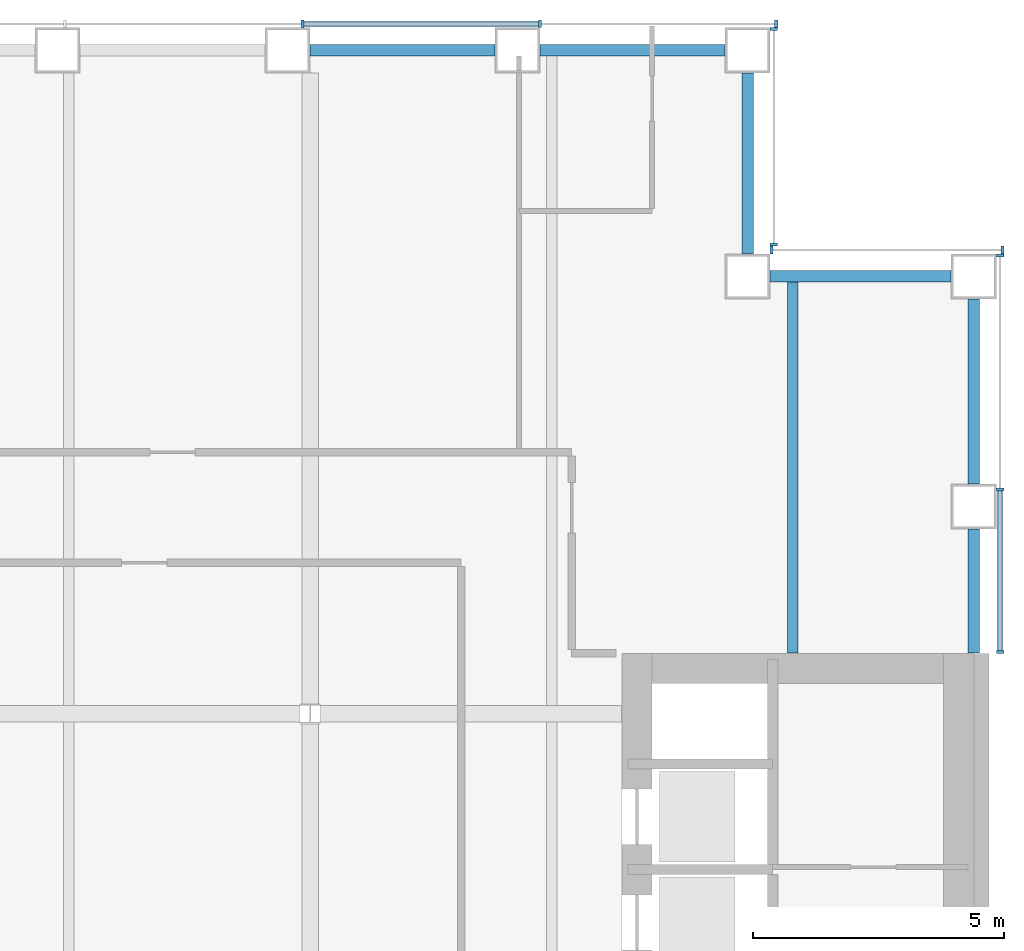
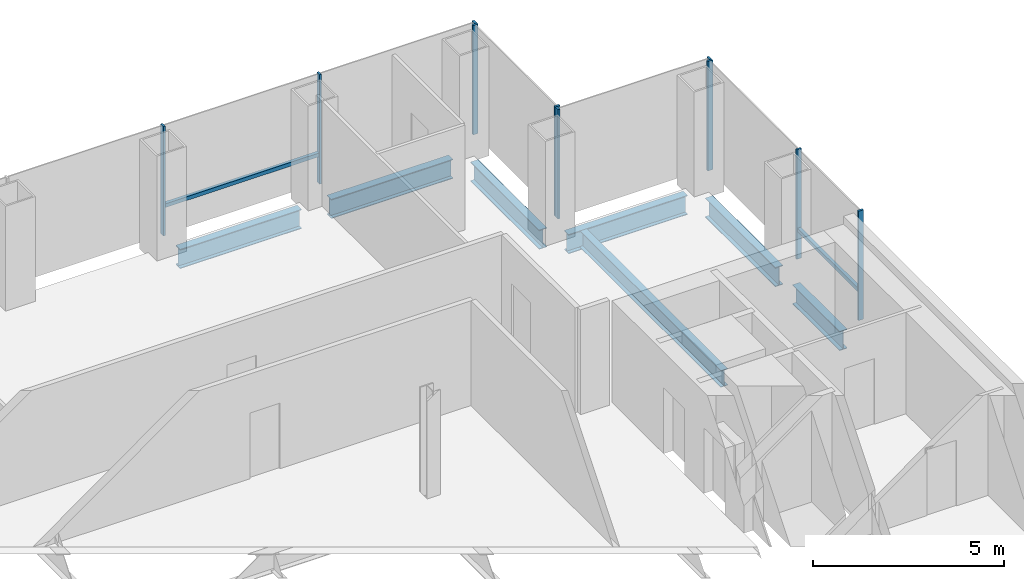
# One storey, part 8 of 15: 12 members, 7 beams, 4 elements without a shape of their own.
"""IFC4 building model written with IfcOpenShell, lengths in metres."""

from ifc_helpers import new_model, si_unit, direction, frame, origin, origin_2d, place, context, subcontext, project, spatial, rectangle, i_section, extrude, material, material_profile, profile_set, type_object, element, aggregate, save


model = new_model("IFC4")

# Units and contexts
model_context = context("Model", 3, precision=1e-05, world=origin(), true_north=direction((0.0, 1.0)))
body_context = subcontext(model_context, "Body", "Model", "MODEL_VIEW")
ifc_project = project(units=[si_unit("LENGTHUNIT", "METRE"), si_unit("AREAUNIT", "SQUARE_METRE"), si_unit("VOLUMEUNIT", "CUBIC_METRE"), si_unit("PLANEANGLEUNIT", "RADIAN"), si_unit("MASSUNIT", "GRAM", prefix="KILO")], contexts=[model_context])

# Site, building, storey
site_placement = place(None, origin())
site = spatial("IfcSite", under=ifc_project, at=site_placement, CompositionType="ELEMENT")
building_placement = place(site_placement, origin())
building = spatial("IfcBuilding", under=site, at=building_placement, Name="Cobrizo Arcos Hotel Tower", CompositionType="ELEMENT")
storey_placement = place(building_placement, frame((0.0, 0.0, 99.5)))
storey = spatial("IfcBuildingStorey", under=building, at=storey_placement, Name="L24", CompositionType="ELEMENT", Elevation=99.5)

# Curtain wall, members
ifc_material_1 = material(Name="Aluminium 6063-T6 anodised bronze", Category="aluminium")
curtain_wall_type = type_object("IfcCurtainWallType", Name="CW-A guest facade", PredefinedType="NOTDEFINED", material=ifc_material_1)
curtain_wall_1_placement = place(storey_placement, origin())
curtain_wall_1 = element("IfcCurtainWall", 1, at=curtain_wall_1_placement, inside=storey, type_object=curtain_wall_type, Name="CW-A L24 E face", PredefinedType="NOTDEFINED")
ifc_material_profile_1 = material_profile(ifc_material_1, rectangle(XDim=0.14990234375, YDim=0.06005859375, at=origin_2d()), Name="CW-A mullion 150x60")
ifc_profile_set_1 = profile_set([ifc_material_profile_1], Name="Aluminium 6063-T6 anodised bronze")
member_type_1 = type_object("IfcMemberType", Name="CW-A mullion 150x60", PredefinedType="MULLION", material=ifc_profile_set_1)
member_1_placement = place(storey_placement, frame((23.324951171875, 10.830078125, 0.0), z_axis=(0.0, 0.0, 1.0), x_axis=(1.0, 0.0, 0.0)))
member_1 = element("IfcMember", 2, at=member_1_placement, type_object=member_type_1, Name="CW-A mullion 1", PredefinedType="MULLION", context=body_context, shape_type="SweptSolid", body=[
    extrude(rectangle(XDim=0.14990234375, YDim=0.06005859375, at=origin_2d()), origin(), (0.0, 0.0, 1.0), 3.5),
])
member_2_placement = place(storey_placement, frame((23.324951171875, 14.0625, 0.0), z_axis=(0.0, 0.0, 1.0), x_axis=(1.0, 0.0, 0.0)))
member_2 = element("IfcMember", 3, at=member_2_placement, type_object=member_type_1, Name="CW-A mullion 2", PredefinedType="MULLION", context=body_context, shape_type="SweptSolid", body=[
    extrude(rectangle(XDim=0.14990234375, YDim=0.06005859375, at=origin_2d()), origin(), (0.0, 0.0, 1.0), 3.5),
])
member_3_placement = place(storey_placement, frame((23.324951171875, 18.719970703125, 0.0), z_axis=(0.0, 0.0, 1.0), x_axis=(1.0, 0.0, 0.0)))
member_3 = element("IfcMember", 4, at=member_3_placement, type_object=member_type_1, Name="CW-A mullion 3", PredefinedType="MULLION", context=body_context, shape_type="SweptSolid", body=[
    extrude(rectangle(XDim=0.14990234375, YDim=0.06005859375, at=origin_2d()), origin(), (0.0, 0.0, 1.0), 3.5),
])

curtain_wall_2_placement = place(storey_placement, origin())
curtain_wall_2 = element("IfcCurtainWall", 5, at=curtain_wall_2_placement, inside=storey, type_object=curtain_wall_type, Name="CW-A L24 N face", PredefinedType="NOTDEFINED")
member_4_placement = place(storey_placement, frame((23.3701171875, 18.824951171875, 0.0), z_axis=(0.0, 0.0, 1.0), x_axis=(0.0, 1.0, 0.0)))
member_4 = element("IfcMember", 6, at=member_4_placement, type_object=member_type_1, Name="CW-A mullion 1", PredefinedType="MULLION", context=body_context, shape_type="SweptSolid", body=[
    extrude(rectangle(XDim=0.14990234375, YDim=0.06005859375, at=origin_2d()), origin(), (0.0, 0.0, 1.0), 3.5),
])
member_5_placement = place(storey_placement, frame((18.780029296875, 18.824951171875, 0.0), z_axis=(0.0, 0.0, 1.0), x_axis=(0.0, 1.0, 0.0)))
member_5 = element("IfcMember", 7, at=member_5_placement, type_object=member_type_1, Name="CW-A mullion 2", PredefinedType="MULLION", context=body_context, shape_type="SweptSolid", body=[
    extrude(rectangle(XDim=0.14990234375, YDim=0.06005859375, at=origin_2d()), origin(), (0.0, 0.0, 1.0), 3.5),
])
aggregate(curtain_wall_2, [member_4, member_5])

curtain_wall_3_placement = place(storey_placement, origin())
curtain_wall_3 = element("IfcCurtainWall", 8, at=curtain_wall_3_placement, inside=storey, type_object=curtain_wall_type, Name="CW-A L24 E face", PredefinedType="NOTDEFINED")
member_6_placement = place(storey_placement, frame((18.824951171875, 18.929931640625, 0.0), z_axis=(0.0, 0.0, 1.0), x_axis=(1.0, 0.0, 0.0)))
member_6 = element("IfcMember", 9, at=member_6_placement, type_object=member_type_1, Name="CW-A mullion 1", PredefinedType="MULLION", context=body_context, shape_type="SweptSolid", body=[
    extrude(rectangle(XDim=0.14990234375, YDim=0.06005859375, at=origin_2d()), origin(), (0.0, 0.0, 1.0), 3.5),
])
member_7_placement = place(storey_placement, frame((18.824951171875, 23.219970703125, 0.0), z_axis=(0.0, 0.0, 1.0), x_axis=(1.0, 0.0, 0.0)))
member_7 = element("IfcMember", 10, at=member_7_placement, type_object=member_type_1, Name="CW-A mullion 2", PredefinedType="MULLION", context=body_context, shape_type="SweptSolid", body=[
    extrude(rectangle(XDim=0.14990234375, YDim=0.06005859375, at=origin_2d()), origin(), (0.0, 0.0, 1.0), 3.5),
])
aggregate(curtain_wall_3, [member_6, member_7])

curtain_wall_4_placement = place(storey_placement, origin())
curtain_wall_4 = element("IfcCurtainWall", 11, at=curtain_wall_4_placement, inside=storey, type_object=curtain_wall_type, Name="CW-A L24 N face", PredefinedType="NOTDEFINED")
member_8_placement = place(storey_placement, frame((18.8701171875, 23.324951171875, 0.0), z_axis=(0.0, 0.0, 1.0), x_axis=(0.0, 1.0, 0.0)))
member_8 = element("IfcMember", 12, at=member_8_placement, type_object=member_type_1, Name="CW-A mullion 1", PredefinedType="MULLION", context=body_context, shape_type="SweptSolid", body=[
    extrude(rectangle(XDim=0.14990234375, YDim=0.06005859375, at=origin_2d()), origin(), (0.0, 0.0, 1.0), 3.5),
])
member_9_placement = place(storey_placement, frame((14.175048828125, 23.324951171875, 0.0), z_axis=(0.0, 0.0, 1.0), x_axis=(0.0, 1.0, 0.0)))
member_9 = element("IfcMember", 13, at=member_9_placement, type_object=member_type_1, Name="CW-A mullion 2", PredefinedType="MULLION", context=body_context, shape_type="SweptSolid", body=[
    extrude(rectangle(XDim=0.14990234375, YDim=0.06005859375, at=origin_2d()), origin(), (0.0, 0.0, 1.0), 3.5),
])
member_10_placement = place(storey_placement, frame((9.449951171875, 23.324951171875, 0.0), z_axis=(0.0, 0.0, 1.0), x_axis=(0.0, 1.0, 0.0)))
member_10 = element("IfcMember", 14, at=member_10_placement, type_object=member_type_1, Name="CW-A mullion 3", PredefinedType="MULLION", context=body_context, shape_type="SweptSolid", body=[
    extrude(rectangle(XDim=0.14990234375, YDim=0.06005859375, at=origin_2d()), origin(), (0.0, 0.0, 1.0), 3.5),
])

# Member
ifc_material_profile_2 = material_profile(ifc_material_1, rectangle(XDim=0.10009765625, YDim=0.1201171875, at=origin_2d()), Name="CW-A transom 120x100")
ifc_profile_set_2 = profile_set([ifc_material_profile_2], Name="Aluminium 6063-T6 anodised bronze")
member_type_2 = type_object("IfcMemberType", Name="CW-A transom 120x100", PredefinedType="USERDEFINED", material=ifc_profile_set_2)
member_11_placement = place(storey_placement, frame((23.324951171875, 10.860107421875, 0.929931640625), z_axis=(0.0, 1.0, 0.0), x_axis=(-1.0, 0.0, 0.0)))
member_11 = element("IfcMember", 15, at=member_11_placement, type_object=member_type_2, Name="CW-A transom 959", ObjectType="TRANSOM", PredefinedType="USERDEFINED", context=body_context, shape_type="SweptSolid", body=[
    extrude(rectangle(XDim=0.10009765625, YDim=0.1201171875, at=origin_2d()), origin(), (0.0, 0.0, 1.0), 3.17236328125),
])

aggregate(curtain_wall_1, [member_1, member_2, member_3, member_11])

member_12_placement = place(storey_placement, frame((14.14501953125, 23.324951171875, 0.929931640625), z_axis=(-1.0, 0.0, 0.0), x_axis=(0.0, -1.0, 0.0)))
member_12 = element("IfcMember", 16, at=member_12_placement, type_object=member_type_2, Name="CW-A transom 964", ObjectType="TRANSOM", PredefinedType="USERDEFINED", context=body_context, shape_type="SweptSolid", body=[
    extrude(rectangle(XDim=0.10009765625, YDim=0.1201171875, at=origin_2d()), origin(), (0.0, 0.0, 1.0), 4.6650390625),
])

aggregate(curtain_wall_4, [member_8, member_9, member_10, member_12])

# Beams
ifc_material_2 = material(Name="Steel ASTM A992 Grade 50", Category="steel")
ifc_material_profile_3 = material_profile(ifc_material_2, i_section(OverallWidth=0.209228515625, OverallDepth=0.533447265625, WebThickness=0.01025390625, FlangeThickness=0.015625, at=origin_2d()), Name="W21X62")
ifc_profile_set_3 = profile_set([ifc_material_profile_3], Name="Steel ASTM A992 Grade 50")
beam_type_1 = type_object("IfcBeamType", Name="W21X62 joist", PredefinedType="JOIST", material=ifc_profile_set_3)
beam_1_placement = place(storey_placement, frame((19.199951171875, 10.81005859375, -0.416748046875), z_axis=(0.0, 1.0, 0.0), x_axis=(-1.0, 0.0, 0.0)))
element("IfcBeam", 17, at=beam_1_placement, inside=storey, type_object=beam_type_1, Name="Floor joist J1, L24, no. 020", PredefinedType="JOIST", context=body_context, shape_type="SweptSolid", body=[
    extrude(i_section(OverallWidth=0.209228515625, OverallDepth=0.533447265625, WebThickness=0.01025390625, FlangeThickness=0.015625, at=origin_2d()), origin(), (0.0, 0.0, 1.0), 7.39990234375),
])
ifc_material_profile_4 = material_profile(ifc_material_2, i_section(OverallWidth=0.23046875, OverallDepth=0.6171875, WebThickness=0.01318359375, FlangeThickness=0.022216796875, at=origin_2d()), Name="W24X94")
ifc_profile_set_4 = profile_set([ifc_material_profile_4], Name="Steel ASTM A992 Grade 50")
beam_type_2 = type_object("IfcBeamType", Name="W24X94 spandrel", PredefinedType="SPANDREL", material=ifc_profile_set_4)
beam_2_placement = place(storey_placement, frame((22.800048828125, 10.81005859375, -0.45849609375), z_axis=(0.0, 1.0, 0.0), x_axis=(-1.0, 0.0, 0.0)))
element("IfcBeam", 18, at=beam_2_placement, inside=storey, type_object=beam_type_2, Name="Spandrel beam W24X94, L24, no. 013", PredefinedType="SPANDREL", context=body_context, shape_type="SweptSolid", body=[
    extrude(i_section(OverallWidth=0.23046875, OverallDepth=0.6171875, WebThickness=0.01318359375, FlangeThickness=0.022216796875, at=origin_2d()), origin(), (0.0, 0.0, 1.0), 2.46484375),
])
beam_3_placement = place(storey_placement, frame((22.800048828125, 14.175048828125, -0.45849609375), z_axis=(0.0, 1.0, 0.0), x_axis=(-1.0, 0.0, 0.0)))
element("IfcBeam", 19, at=beam_3_placement, inside=storey, type_object=beam_type_2, Name="Spandrel beam W24X94, L24, no. 014", PredefinedType="SPANDREL", context=body_context, shape_type="SweptSolid", body=[
    extrude(i_section(OverallWidth=0.23046875, OverallDepth=0.6171875, WebThickness=0.01318359375, FlangeThickness=0.022216796875, at=origin_2d()), origin(), (0.0, 0.0, 1.0), 3.675048828125),
])
for number, where, z_axis, x_axis, name in (
    (20, (22.35009765625, 18.300048828125, -0.45849609375), (-1.0, 0.0, 0.0), (0.0, -1.0, 0.0), "Spandrel beam W24X94, L24, no. 015"),
    (21, (18.300048828125, 18.75, -0.45849609375), (0.0, 1.0, 0.0), (-1.0, 0.0, 0.0), "Spandrel beam W24X94, L24, no. 016"),
):
    element("IfcBeam", number, at=place(storey_placement, frame(where, z_axis=z_axis, x_axis=x_axis)), inside=storey, type_object=beam_type_2, Name=name, PredefinedType="SPANDREL", context=body_context, shape_type="SweptSolid", body=[
        extrude(i_section(OverallWidth=0.23046875, OverallDepth=0.6171875, WebThickness=0.01318359375, FlangeThickness=0.022216796875, at=origin_2d()), origin(), (0.0, 0.0, 1.0), 3.60009765625),
    ])
beam_4_placement = place(storey_placement, frame((17.85009765625, 22.800048828125, -0.45849609375), z_axis=(-1.0, 0.0, 0.0), x_axis=(0.0, -1.0, 0.0)))
element("IfcBeam", 22, at=beam_4_placement, inside=storey, type_object=beam_type_2, Name="Spandrel beam W24X94, L24, no. 017", PredefinedType="SPANDREL", context=body_context, shape_type="SweptSolid", body=[
    extrude(i_section(OverallWidth=0.23046875, OverallDepth=0.6171875, WebThickness=0.01318359375, FlangeThickness=0.022216796875, at=origin_2d()), origin(), (0.0, 0.0, 1.0), 3.675048828125),
])
beam_5_placement = place(storey_placement, frame((13.27490234375, 22.800048828125, -0.45849609375), z_axis=(-1.0, 0.0, 0.0), x_axis=(0.0, -1.0, 0.0)))
element("IfcBeam", 23, at=beam_5_placement, inside=storey, type_object=beam_type_2, Name="Spandrel beam W24X94, L24, no. 018", PredefinedType="SPANDREL", context=body_context, shape_type="SweptSolid", body=[
    extrude(i_section(OverallWidth=0.23046875, OverallDepth=0.6171875, WebThickness=0.01318359375, FlangeThickness=0.022216796875, at=origin_2d()), origin(), (0.0, 0.0, 1.0), 3.6748046875),
])

save(model, "model.ifc")
